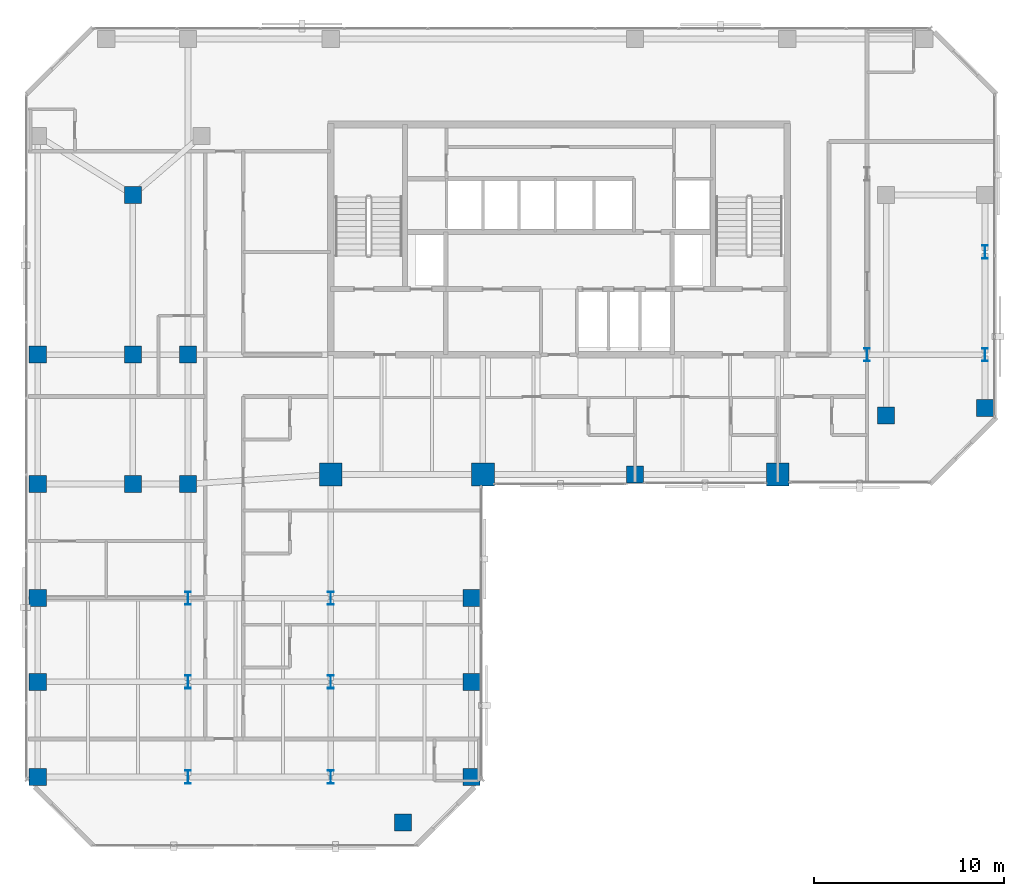
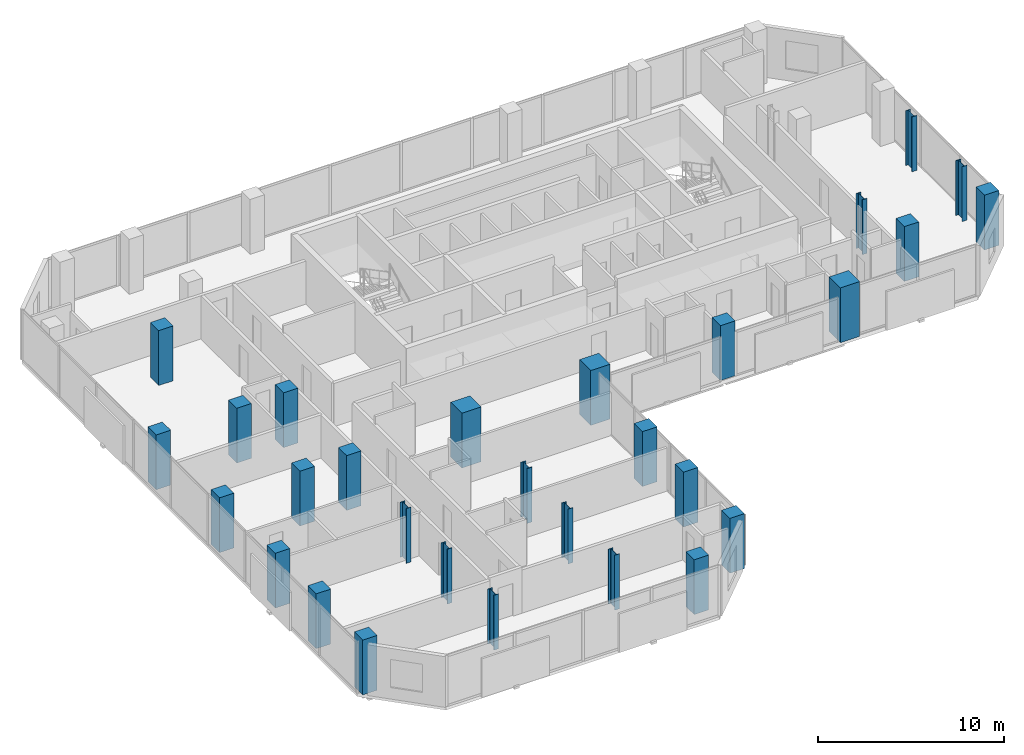
# One storey, part 1 of 34: 29 columns.
"""IFC4 building model written with IfcOpenShell, lengths in metres."""

from ifc_helpers import new_model, si_unit, direction, frame, origin, origin_2d, place, context, subcontext, project, spatial, rectangle, i_section, extrude, material, material_profile, profile_set, type_object, element, save


model = new_model("IFC4")

# Units and contexts
model_context = context("Model", 3, precision=1e-05, world=origin(), true_north=direction((0.0, 1.0)))
body_context = subcontext(model_context, "Body", "Model", "MODEL_VIEW")
ifc_project = project(units=[si_unit("LENGTHUNIT", "METRE"), si_unit("AREAUNIT", "SQUARE_METRE"), si_unit("VOLUMEUNIT", "CUBIC_METRE"), si_unit("PLANEANGLEUNIT", "RADIAN"), si_unit("MASSUNIT", "GRAM", prefix="KILO")], contexts=[model_context])

# Site, building, storey
site_placement = place(None, origin())
site = spatial("IfcSite", under=ifc_project, at=site_placement, CompositionType="ELEMENT")
building_placement = place(site_placement, origin())
building = spatial("IfcBuilding", under=site, at=building_placement, Name="Catumbela Crestline Tower", CompositionType="ELEMENT")
storey_placement = place(building_placement, frame((0.0, 0.0, 93.6)))
storey = spatial("IfcBuildingStorey", under=building, at=storey_placement, Name="L23", CompositionType="ELEMENT", Elevation=93.6)

# Columns
ifc_material_1 = material(Name="Concrete C50/60", Category="concrete")
ifc_material_profile_1 = material_profile(ifc_material_1, rectangle(XDim=1.2, YDim=1.2, at=origin_2d()), Name="RC 1200x1200")
ifc_profile_set_1 = profile_set([ifc_material_profile_1], Name="Concrete C50/60")
column_type_1 = type_object("IfcColumnType", Name="C-RC1200-C50", PredefinedType="COLUMN", material=ifc_profile_set_1)
for number, where, z_axis, x_axis, name in (
    (1, (16.0, 24.5, 0.0), (0.0, 0.0, 1.0), (1.0, 0.0, 0.0), "L23 Column C-16-24 (RC 1200x1200)"),
    (2, (24.0, 24.5, 0.0), (0.0, 0.0, 1.0), (1.0, 0.0, 0.0), "L23 Column C-24-24 (RC 1200x1200)"),
    (3, (39.5, 24.5, 0.0), (0.0, 0.0, 1.0), (1.0, 0.0, 0.0), "L23 Column C-40-24 (RC 1200x1200)"),
):
    element("IfcColumn", number, at=place(storey_placement, frame(where, z_axis=z_axis, x_axis=x_axis)), inside=storey, type_object=column_type_1, Name=name, PredefinedType="COLUMN", context=body_context, shape_type="SweptSolid", body=[
        extrude(rectangle(XDim=1.2, YDim=1.2, at=origin_2d()), origin(), (0.0, 0.0, 1.0), 3.6),
    ])
ifc_material_profile_2 = material_profile(ifc_material_1, rectangle(XDim=0.9, YDim=0.9, at=origin_2d()), Name="RC 900x900")
ifc_profile_set_2 = profile_set([ifc_material_profile_2], Name="Concrete C50/60")
column_type_2 = type_object("IfcColumnType", Name="C-RC900-C50", PredefinedType="COLUMN", material=ifc_profile_set_2)
for number, where, z_axis, x_axis, name in (
    (4, (8.5, 24.0, 0.0), (0.0, 0.0, 1.0), (1.0, 0.0, 0.0), "L23 Column C-08-24 (RC 900x900)"),
    (5, (32.0, 24.5, 0.0), (0.0, 0.0, 1.0), (1.0, 0.0, 0.0), "L23 Column C-32-24 (RC 900x900)"),
    (6, (5.6, 24.0, 0.0), (0.0, 0.0, 1.0), (1.0, 0.0, 0.0), "L23 Column C-05-24 (RC 900x900)"),
    (7, (5.6, 30.8, 0.0), (0.0, 0.0, 1.0), (1.0, 0.0, 0.0), "L23 Column C-05-31 (RC 900x900)"),
    (8, (5.6, 39.2, 0.0), (0.0, 0.0, 1.0), (1.0, 0.0, 0.0), "L23 Column C-05-43 (RC 900x900)"),
    (9, (8.5, 30.8, 0.0), (0.0, 0.0, 1.0), (1.0, 0.0, 0.0), "L23 Column C-08-31 (RC 900x900)"),
    (10, (45.2, 27.6, 0.0), (0.0, 0.0, 1.0), (1.0, 0.0, 0.0), "L23 Column C-46-24 (RC 900x900)"),
    (11, (0.6, 24.0, 0.0), (0.0, 0.0, 1.0), (1.0, 0.0, 0.0), "L23 Column C-00-24 (RC 900x900)"),
    (12, (0.6, 30.8, 0.0), (0.0, 0.0, 1.0), (1.0, 0.0, 0.0), "L23 Column C-00-31 (RC 900x900)"),
    (13, (50.4, 28.0, 0.0), (0.0, 0.0, 1.0), (1.0, 0.0, 0.0), "L23 Column C-51-24 (RC 900x900)"),
    (14, (0.6, 8.6, 0.0), (0.0, 0.0, 1.0), (1.0, 0.0, 0.0), "L23 Column C-00-05 (RC 900x900)"),
    (15, (0.6, 13.6, 0.0), (0.0, 0.0, 1.0), (1.0, 0.0, 0.0), "L23 Column C-00-10 (RC 900x900)"),
    (16, (0.6, 18.0, 0.0), (0.0, 0.0, 1.0), (1.0, 0.0, 0.0), "L23 Column C-00-16 (RC 900x900)"),
    (17, (19.8, 6.2, 0.0), (0.0, 0.0, 1.0), (1.0, 0.0, 0.0), "L23 Column C-24-05 (RC 900x900)"),
    (18, (23.4, 8.6, 0.0), (0.0, 0.0, 1.0), (1.0, 0.0, 0.0), "L23 Column C-23-08 (RC 900x900)"),
    (19, (23.4, 13.6, 0.0), (0.0, 0.0, 1.0), (1.0, 0.0, 0.0), "L23 Column C-24-10 (RC 900x900)"),
    (20, (23.4, 18.0, 0.0), (0.0, 0.0, 1.0), (1.0, 0.0, 0.0), "L23 Column C-24-16 (RC 900x900)"),
):
    element("IfcColumn", number, at=place(storey_placement, frame(where, z_axis=z_axis, x_axis=x_axis)), inside=storey, type_object=column_type_2, Name=name, PredefinedType="COLUMN", context=body_context, shape_type="SweptSolid", body=[
        extrude(rectangle(XDim=0.9, YDim=0.9, at=origin_2d()), origin(), (0.0, 0.0, 1.0), 3.6),
    ])
ifc_material_2 = material(Name="Structural steel S460M", Category="steel")
ifc_material_profile_3 = material_profile(ifc_material_2, i_section(OverallWidth=0.3, OverallDepth=0.7, WebThickness=0.017, FlangeThickness=0.032, FilletRadius=0.027, at=origin_2d()), Name="HEB 700")
ifc_profile_set_3 = profile_set([ifc_material_profile_3], Name="Structural steel S460M")
column_type_3 = type_object("IfcColumnType", Name="C-ST-HEB700", PredefinedType="COLUMN", material=ifc_profile_set_3)
for number, where, z_axis, x_axis, name in (
    (21, (8.5, 8.6, 0.0), (0.0, 0.0, 1.0), (1.0, 0.0, 0.0), "L23 Column CT-05-05 (HEB 700)"),
    (22, (16.0, 8.6, 0.0), (0.0, 0.0, 1.0), (1.0, 0.0, 0.0), "L23 Column CT-14-05 (HEB 700)"),
    (23, (8.5, 13.6, 0.0), (0.0, 0.0, 1.0), (1.0, 0.0, 0.0), "L23 Column CT-05-10 (HEB 700)"),
    (24, (16.0, 13.6, 0.0), (0.0, 0.0, 1.0), (1.0, 0.0, 0.0), "L23 Column CT-14-10 (HEB 700)"),
    (25, (8.5, 18.0, 0.0), (0.0, 0.0, 1.0), (1.0, 0.0, 0.0), "L23 Column CT-05-16 (HEB 700)"),
    (26, (16.0, 18.0, 0.0), (0.0, 0.0, 1.0), (1.0, 0.0, 0.0), "L23 Column CT-14-16 (HEB 700)"),
    (27, (44.2, 30.8, 0.0), (0.0, 0.0, 1.0), (1.0, 0.0, 0.0), "L23 Column CT-46-31 (HEB 700)"),
    (28, (50.4, 30.8, 0.0), (0.0, 0.0, 1.0), (1.0, 0.0, 0.0), "L23 Column CT-51-31 (HEB 700)"),
    (29, (50.4, 36.2, 0.0), (0.0, 0.0, 1.0), (1.0, 0.0, 0.0), "L23 Column CT-51-37 (HEB 700)"),
):
    element("IfcColumn", number, at=place(storey_placement, frame(where, z_axis=z_axis, x_axis=x_axis)), inside=storey, type_object=column_type_3, Name=name, PredefinedType="COLUMN", context=body_context, shape_type="SweptSolid", body=[
        extrude(i_section(OverallWidth=0.3, OverallDepth=0.7, WebThickness=0.017, FlangeThickness=0.032, FilletRadius=0.027, at=origin_2d()), origin(), (0.0, 0.0, 1.0), 3.6),
    ])

save(model, "model.ifc")
